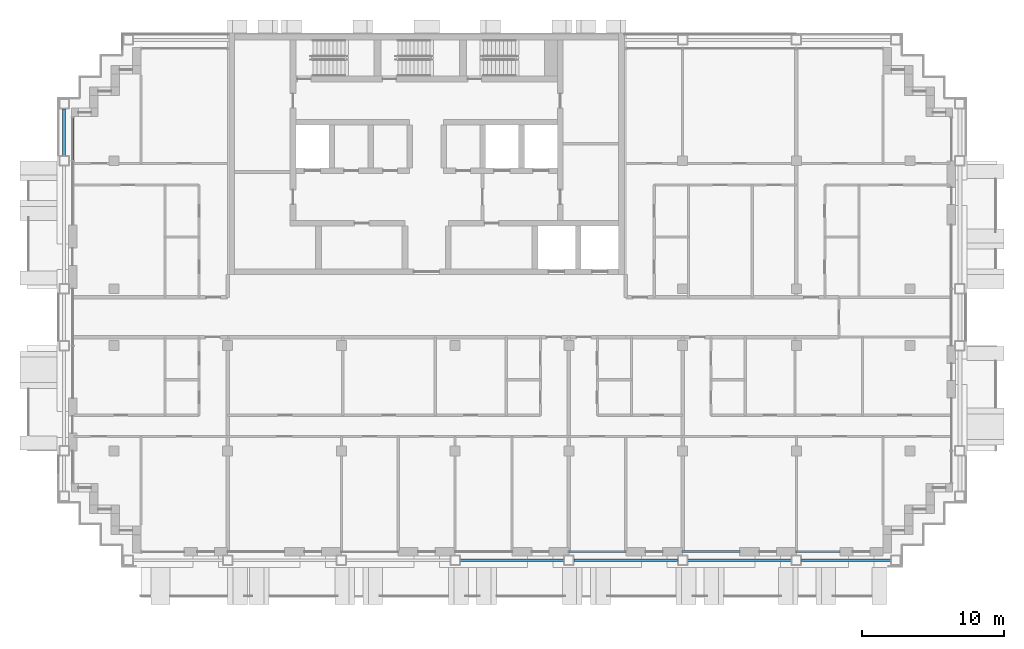
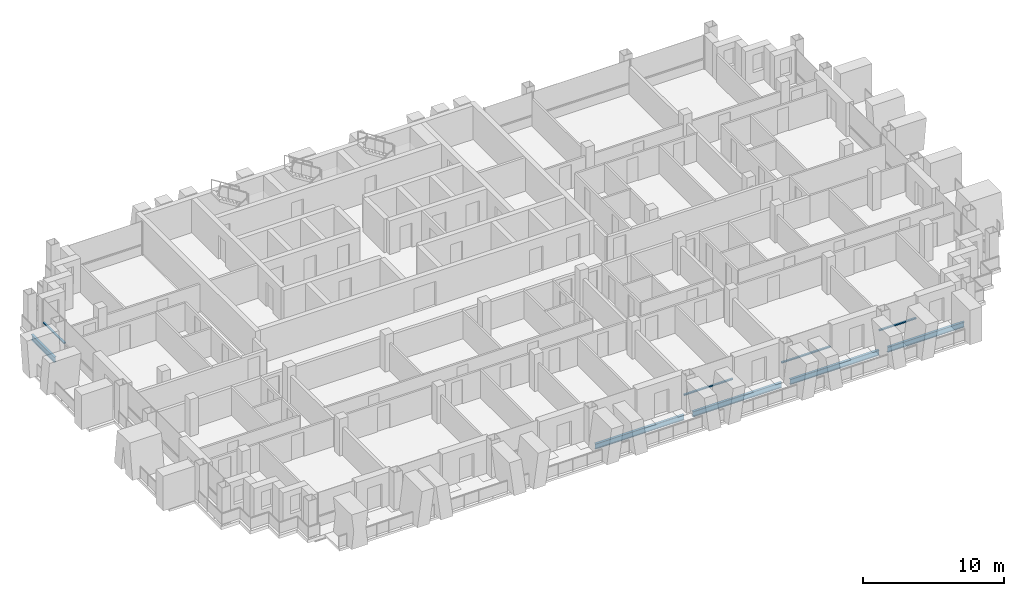
# One storey, part 3 of 16: 5 beams, 4 members, 4 elements without a shape of their own.
"""IFC4 building model written with IfcOpenShell, lengths in metres."""

from ifc_helpers import new_model, si_unit, direction, frame, origin, origin_2d, place, context, subcontext, project, spatial, rectangle, i_section, extrude, material, material_profile, profile_set, type_object, element, aggregate, save


model = new_model("IFC4")

# Units and contexts
model_context = context("Model", 3, precision=1e-05, world=origin(), true_north=direction((0.0, 1.0)))
body_context = subcontext(model_context, "Body", "Model", "MODEL_VIEW")
ifc_project = project(units=[si_unit("LENGTHUNIT", "METRE"), si_unit("AREAUNIT", "SQUARE_METRE"), si_unit("VOLUMEUNIT", "CUBIC_METRE"), si_unit("PLANEANGLEUNIT", "RADIAN"), si_unit("MASSUNIT", "GRAM", prefix="KILO")], contexts=[model_context])

# Site, building, storey
site_placement = place(None, origin())
site = spatial("IfcSite", under=ifc_project, at=site_placement, CompositionType="ELEMENT")
building_placement = place(site_placement, origin())
building = spatial("IfcBuilding", under=site, at=building_placement, Name="Vidyagriha Tower", CompositionType="ELEMENT")
storey_placement = place(building_placement, frame((0.0, 0.0, 187.699951171875)))
storey = spatial("IfcBuildingStorey", under=building, at=storey_placement, Name="L49", CompositionType="ELEMENT", Elevation=187.699951171875)

# Beams
ifc_material_1 = material(Name="Steel ASTM A992 Grade 50", Category="steel")
ifc_material_profile_1 = material_profile(ifc_material_1, i_section(OverallWidth=0.19189453125, OverallDepth=0.46240234375, WebThickness=0.010498046875, FlangeThickness=0.017578125, at=origin_2d()), Name="W18X60")
ifc_profile_set_1 = profile_set([ifc_material_profile_1], Name="Steel ASTM A992 Grade 50")
beam_type = type_object("IfcBeamType", Name="Edge beam W18X60", PredefinedType="SPANDREL", material=ifc_profile_set_1)
for number, where, z_axis, x_axis, name in (
    (1, (2.35009765625, -17.10009765625, -0.510986328125), (1.0, 0.0, 0.0), (0.0, 1.0, 0.0), "st-beam-L49-S04"),
    (2, (10.35009765625, -17.10009765625, -0.510986328125), (1.0, 0.0, 0.0), (0.0, 1.0, 0.0), "st-beam-L49-S05"),
    (3, (18.35009765625, -17.10009765625, -0.510986328125), (1.0, 0.0, 0.0), (0.0, 1.0, 0.0), "st-beam-L49-S06"),
):
    element("IfcBeam", number, at=place(storey_placement, frame(where, z_axis=z_axis, x_axis=x_axis)), inside=storey, type_object=beam_type, Name=name, PredefinedType="SPANDREL", context=body_context, shape_type="SweptSolid", body=[
        extrude(i_section(OverallWidth=0.19189453125, OverallDepth=0.46240234375, WebThickness=0.010498046875, FlangeThickness=0.017578125, at=origin_2d()), origin(), (0.0, 0.0, 1.0), 7.2998046875),
    ])
beam_1_placement = place(storey_placement, frame((26.35009765625, -17.10009765625, -0.510986328125), z_axis=(1.0, 0.0, 0.0), x_axis=(0.0, 1.0, 0.0)))
element("IfcBeam", 4, at=beam_1_placement, inside=storey, type_object=beam_type, Name="st-beam-L49-S07", PredefinedType="SPANDREL", context=body_context, shape_type="SweptSolid", body=[
    extrude(i_section(OverallWidth=0.19189453125, OverallDepth=0.46240234375, WebThickness=0.010498046875, FlangeThickness=0.017578125, at=origin_2d()), origin(), (0.0, 0.0, 1.0), 6.2998046875),
])
beam_2_placement = place(storey_placement, frame((-25.5, 11.35009765625, -0.510986328125), z_axis=(0.0, 1.0, 0.0), x_axis=(-1.0, 0.0, 0.0)))
element("IfcBeam", 5, at=beam_2_placement, inside=storey, type_object=beam_type, Name="st-beam-L49-W12", PredefinedType="SPANDREL", context=body_context, shape_type="SweptSolid", body=[
    extrude(i_section(OverallWidth=0.19189453125, OverallDepth=0.46240234375, WebThickness=0.010498046875, FlangeThickness=0.017578125, at=origin_2d()), origin(), (0.0, 0.0, 1.0), 3.2998046875),
])

# Curtain wall, member
ifc_material_2 = material(Name="Aluminium and glass curtain wall", Category="aluminium")
curtain_wall_type = type_object("IfcCurtainWallType", Name="Dwelling skin unitised curtain wall", PredefinedType="USERDEFINED", material=ifc_material_2)
curtain_wall_1_placement = place(storey_placement, origin())
curtain_wall_1 = element("IfcCurtainWall", 6, at=curtain_wall_1_placement, inside=storey, type_object=curtain_wall_type, Name="CW1 dwelling skin", ObjectType="UNITISED", PredefinedType="USERDEFINED")
ifc_material_3 = material(Name="Aluminium black anodised", Category="aluminium")
ifc_material_profile_2 = material_profile(ifc_material_3, rectangle(XDim=0.159912109375, YDim=0.10009765625, at=origin_2d()), Name="Transom 100x160 black aluminium")
ifc_profile_set_2 = profile_set([ifc_material_profile_2], Name="Aluminium black anodised")
member_type = type_object("IfcMemberType", Name="Transom 100x160 black aluminium", PredefinedType="USERDEFINED", material=ifc_profile_set_2)
member_1_placement = place(storey_placement, frame((-24.89990234375, 14.030029296875, 0.900146484375), z_axis=(0.0, -1.0, 0.0), x_axis=(1.0, 0.0, 0.0)))
member_1 = element("IfcMember", 7, at=member_1_placement, type_object=member_type, Name="CW1 transom 1.1", ObjectType="TRANSOM", PredefinedType="USERDEFINED", context=body_context, shape_type="SweptSolid", body=[
    extrude(rectangle(XDim=0.159912109375, YDim=0.10009765625, at=origin_2d()), origin(), (0.0, 0.0, 1.0), 2.9951171875),
])
aggregate(curtain_wall_1, [member_1])

curtain_wall_2_placement = place(storey_placement, origin())
curtain_wall_2 = element("IfcCurtainWall", 8, at=curtain_wall_2_placement, inside=storey, type_object=curtain_wall_type, Name="CW1 dwelling skin", ObjectType="UNITISED", PredefinedType="USERDEFINED")
member_2_placement = place(storey_placement, frame((10.0, -16.5, 0.900146484375), z_axis=(1.0, 0.0, 0.0), x_axis=(0.0, 1.0, 0.0)))
member_2 = element("IfcMember", 9, at=member_2_placement, type_object=member_type, Name="CW1 transom 1.1", ObjectType="TRANSOM", PredefinedType="USERDEFINED", context=body_context, shape_type="SweptSolid", body=[
    extrude(rectangle(XDim=0.159912109375, YDim=0.10009765625, at=origin_2d()), origin(), (0.0, 0.0, 1.0), 4.0),
])
aggregate(curtain_wall_2, [member_2])

curtain_wall_3_placement = place(storey_placement, origin())
curtain_wall_3 = element("IfcCurtainWall", 10, at=curtain_wall_3_placement, inside=storey, type_object=curtain_wall_type, Name="CW1 dwelling skin", ObjectType="UNITISED", PredefinedType="USERDEFINED")
member_3_placement = place(storey_placement, frame((18.0, -16.5, 0.900146484375), z_axis=(1.0, 0.0, 0.0), x_axis=(0.0, 1.0, 0.0)))
member_3 = element("IfcMember", 11, at=member_3_placement, type_object=member_type, Name="CW1 transom 1.1", ObjectType="TRANSOM", PredefinedType="USERDEFINED", context=body_context, shape_type="SweptSolid", body=[
    extrude(rectangle(XDim=0.159912109375, YDim=0.10009765625, at=origin_2d()), origin(), (0.0, 0.0, 1.0), 4.0),
])
aggregate(curtain_wall_3, [member_3])

curtain_wall_4_placement = place(storey_placement, origin())
curtain_wall_4 = element("IfcCurtainWall", 12, at=curtain_wall_4_placement, inside=storey, type_object=curtain_wall_type, Name="CW1 dwelling skin", ObjectType="UNITISED", PredefinedType="USERDEFINED")
member_4_placement = place(storey_placement, frame((26.0, -16.5, 0.900146484375), z_axis=(1.0, 0.0, 0.0), x_axis=(0.0, 1.0, 0.0)))
member_4 = element("IfcMember", 13, at=member_4_placement, type_object=member_type, Name="CW1 transom 1.1", ObjectType="TRANSOM", PredefinedType="USERDEFINED", context=body_context, shape_type="SweptSolid", body=[
    extrude(rectangle(XDim=0.159912109375, YDim=0.10009765625, at=origin_2d()), origin(), (0.0, 0.0, 1.0), 3.050048828125),
])
aggregate(curtain_wall_4, [member_4])

save(model, "model.ifc")
